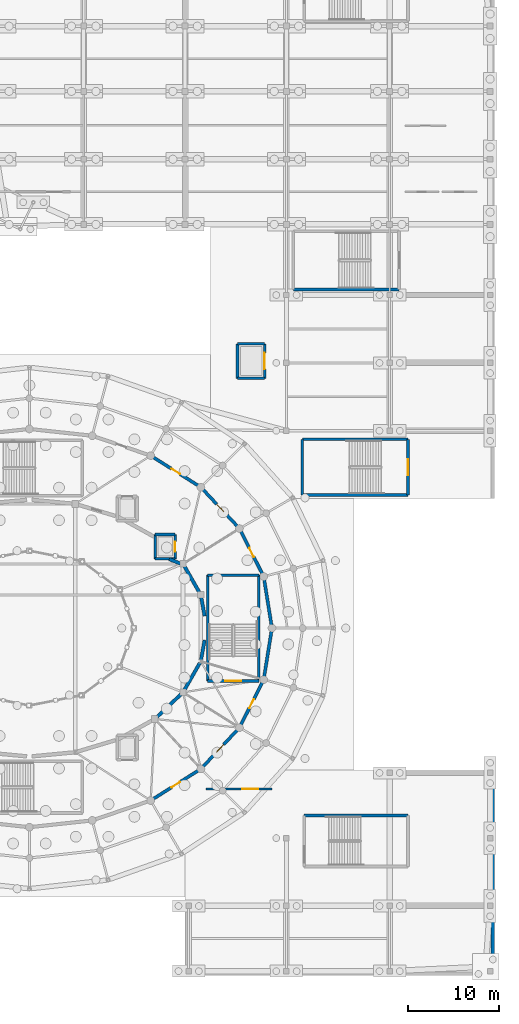
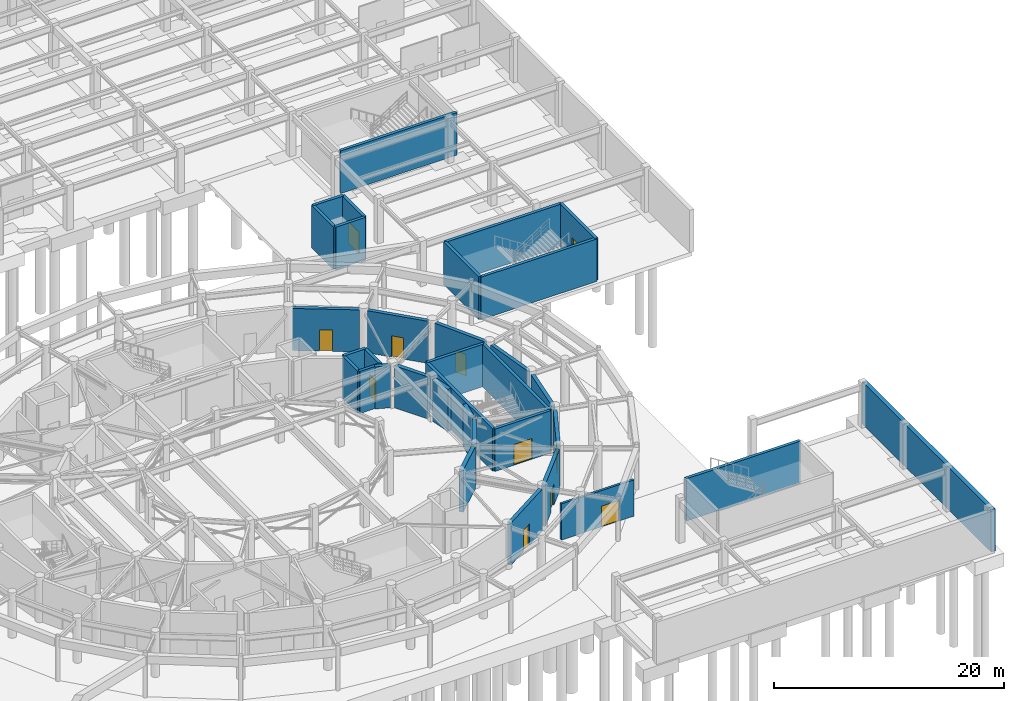
# One storey, part 42 of 68: 34 walls, 11 doors, 11 openings.
"""IFC4 building model written with IfcOpenShell, lengths in metres."""

from ifc_helpers import new_model, si_unit, direction, frame, frame_2d, origin, place, context, subcontext, project, spatial, rectangle, extrude, material, layer, layer_set, type_object, element, fill, save


model = new_model("IFC4")

# Units and contexts
model_context = context("Model", 3, precision=1e-05, world=origin(), true_north=direction((0.0, 1.0)))
body_context = subcontext(model_context, "Body", "Model", "MODEL_VIEW")
ifc_project = project(units=[si_unit("LENGTHUNIT", "METRE"), si_unit("AREAUNIT", "SQUARE_METRE"), si_unit("VOLUMEUNIT", "CUBIC_METRE"), si_unit("PLANEANGLEUNIT", "RADIAN"), si_unit("MASSUNIT", "GRAM", prefix="KILO")], contexts=[model_context])

# Site, building, storey
site_placement = place(None, origin())
site = spatial("IfcSite", under=ifc_project, at=site_placement, CompositionType="ELEMENT")
building_placement = place(site_placement, origin())
building = spatial("IfcBuilding", under=site, at=building_placement, Name="Cinderbank Siding Concert Hall", CompositionType="ELEMENT")
storey_placement = place(building_placement, frame((0.0, 0.0, -4.800048828125)))
storey = spatial("IfcBuildingStorey", under=building, at=storey_placement, Name="B1", CompositionType="ELEMENT", Elevation=-4.800048828125)

# Walls
ifc_material_1 = material(Name="Reinforced concrete AS 3600 N50 (50 MPa)", Category="concrete")
ifc_layer_1 = layer(ifc_material_1, 0.3798828125)
ifc_layer_set_1 = layer_set([ifc_layer_1], Name="Reinforced concrete AS 3600 N50 (50 MPa)")
wall_type_1 = type_object("IfcWallType", Name="WL-01 Structural Wall 380mm", PredefinedType="SOLIDWALL", material=ifc_layer_set_1)
wall_1_placement = place(storey_placement, frame((141.358642578125, 45.328125, 0.0), z_axis=(0.0, 0.0, 1.0), x_axis=(-0.17880262372, 0.983884963678, 0.0)))
element("IfcWall", 1, at=wall_1_placement, inside=storey, type_object=wall_type_1, Name="B1 Structural Wall SW-E1-B1-01", PredefinedType="SOLIDWALL", context=body_context, shape_type="SweptSolid", body=[
    extrude(rectangle(XDim=2.075439453125, YDim=0.3798828125, at=frame_2d((1.03759765625, 0.0))), origin(), (0.0, 0.0, 1.0), 4.47998046875),
])
wall_2_placement = place(storey_placement, frame((140.7783203125, 47.9443359375, 0.0), z_axis=(0.0, 0.0, 1.0), x_axis=(-0.496366522372, 0.868113054543, 0.0)))
element("IfcWall", 2, at=wall_2_placement, inside=storey, type_object=wall_type_1, Name="B1 Structural Wall SW-E1-B1-02", PredefinedType="SOLIDWALL", context=body_context, shape_type="SweptSolid", body=[
    extrude(rectangle(XDim=3.35009765625, YDim=0.3798828125, at=frame_2d((1.675048828125, 0.0))), origin(), (0.0, 0.0, 1.0), 4.47998046875),
])
wall_3_placement = place(storey_placement, frame((138.75, 51.10009765625, 0.0), z_axis=(0.0, 0.0, 1.0), x_axis=(-0.928476690885, 0.371390676354, 0.0)))
element("IfcWall", 3, at=wall_3_placement, inside=storey, type_object=wall_type_1, Name="B1 Structural Wall SW-E1-B1-03", PredefinedType="SOLIDWALL", context=body_context, shape_type="SweptSolid", body=[
    extrude(rectangle(XDim=1.400146484375, YDim=0.3798828125, at=frame_2d((0.7001953125, 0.0))), origin(), (0.0, 0.0, 1.0), 4.47998046875),
])
wall_4_placement = place(storey_placement, frame((136.084716796875, 34.171875, 0.0), z_axis=(0.0, 0.0, 1.0), x_axis=(0.727101248405, 0.68653024301, 0.0)))
element("IfcWall", 4, at=wall_4_placement, inside=storey, type_object=wall_type_1, Name="B1 Structural Wall SW-E1-B1-22", PredefinedType="SOLIDWALL", context=body_context, shape_type="SweptSolid", body=[
    extrude(rectangle(XDim=3.688720703125, YDim=0.3798828125, at=frame_2d((1.84423828125, 0.0))), origin(), (0.0, 0.0, 1.0), 4.47998046875),
])
wall_5_placement = place(storey_placement, frame((139.115478515625, 37.1474609375, 0.0), z_axis=(0.0, 0.0, 1.0), x_axis=(0.496379307123, 0.8681057444, 0.0)))
element("IfcWall", 5, at=wall_5_placement, inside=storey, type_object=wall_type_1, Name="B1 Structural Wall SW-E1-B1-23", PredefinedType="SOLIDWALL", context=body_context, shape_type="SweptSolid", body=[
    extrude(rectangle(XDim=3.5, YDim=0.3798828125, at=frame_2d((1.75, 0.0))), origin(), (0.0, 0.0, 1.0), 4.47998046875),
])
wall_6_placement = place(storey_placement, frame((140.960693359375, 40.482177734375, 0.0), z_axis=(0.0, 0.0, 1.0), x_axis=(0.178808210054, 0.98388394845, 0.0)))
element("IfcWall", 6, at=wall_6_placement, inside=storey, type_object=wall_type_1, Name="B1 Structural Wall SW-E1-B1-24", PredefinedType="SOLIDWALL", context=body_context, shape_type="SweptSolid", body=[
    extrude(rectangle(XDim=2.2255859375, YDim=0.3798828125, at=frame_2d((1.11279296875, 0.0))), origin(), (0.0, 0.0, 1.0), 4.47998046875),
])
ifc_layer_2 = layer(ifc_material_1, 0.35009765625)
ifc_layer_set_2 = layer_set([ifc_layer_2], Name="Reinforced concrete AS 3600 N50 (50 MPa)")
wall_type_2 = type_object("IfcWallType", Name="WL-02 Structural Wall 350mm", PredefinedType="SHEAR", material=ifc_layer_set_2)
wall_7_placement = place(storey_placement, frame((148.742919921875, 44.35546875, 0.0), z_axis=(0.0, 0.0, 1.0), x_axis=(-0.158339548841, 0.987384721004, 0.0)))
element("IfcWall", 7, at=wall_7_placement, inside=storey, type_object=wall_type_2, Name="B1 Structural Wall SW-E2-B1-01", PredefinedType="SHEAR", context=body_context, shape_type="SweptSolid", body=[
    extrude(rectangle(XDim=5.046630859375, YDim=0.35009765625, at=frame_2d((2.5234375, 0.0))), origin(), (0.0, 0.0, 1.0), 4.47998046875),
])

# Wall, opening, door
wall_8_placement = place(storey_placement, frame((147.724609375, 50.015380859375, 0.0), z_axis=(0.0, 0.0, 1.0), x_axis=(-0.450482420117, 0.892785298471, 0.0)))
wall_8 = element("IfcWall", 8, at=wall_8_placement, inside=storey, type_object=wall_type_2, Name="B1 Structural Wall SW-E2-B1-02", PredefinedType="SHEAR", context=body_context, shape_type="SweptSolid", body=[
    extrude(rectangle(XDim=5.223388671875, YDim=0.35009765625, at=frame_2d((2.61181640625, 0.0))), origin(), (0.0, 0.0, 1.0), 4.47998046875),
])
opening_1_placement = place(wall_8_placement, frame((2.051513671875, 0.0, 0.0)))
opening_1 = element("IfcOpeningElement", 9, at=opening_1_placement, cuts=wall_8, Name="Opening D-19", PredefinedType="OPENING", context=body_context, shape_type="SweptSolid", body=[
    extrude(rectangle(XDim=1.1201171875, YDim=2.260009765625, at=frame_2d((0.56005859375, 1.1298828125))), frame((0.0, 0.18701171875, 0.0), z_axis=(0.0, -1.0, 0.0), x_axis=(1.0, 0.0, 0.0)), (0.0, 0.0, 1.0), 0.3740234375),
])
ifc_material_2 = material(Name="Solid-core spotted gum acoustic timber", Category="wood")
door_type_1 = type_object("IfcDoorType", Name="D-19 Interior Door 1120x2260", OperationType="NOTDEFINED", PredefinedType="DOOR", material=ifc_material_2)
door_1_placement = place(opening_1_placement, origin())
door_1 = element("IfcDoor", 10, at=door_1_placement, inside=storey, type_object=door_type_1, Name="B1 Auditorium Sound-Lock Door B1-D105", OperationType="SINGLE_SWING_RIGHT", OverallHeight=2.260009765625, OverallWidth=1.1201171875, PredefinedType="DOOR", context=body_context, shape_type="SweptSolid", body=[
    extrude(rectangle(XDim=1.1201171875, YDim=2.260009765625, at=frame_2d((0.56005859375, 1.1298828125))), frame((0.0, 0.02490234375, 0.0), z_axis=(0.0, -1.0, 0.0), x_axis=(1.0, 0.0, 0.0)), (0.0, 0.0, 1.0), 0.050048828125),
])
fill(opening_1, door_1)

wall_9_placement = place(storey_placement, frame((144.963623046875, 55.262939453125, 0.0), z_axis=(0.0, 0.0, 1.0), x_axis=(-0.682874636689, 0.730535577893, 0.0)))
wall_9 = element("IfcWall", 11, at=wall_9_placement, inside=storey, type_object=wall_type_2, Name="B1 Structural Wall SW-E2-B1-03", PredefinedType="SHEAR", context=body_context, shape_type="SweptSolid", body=[
    extrude(rectangle(XDim=5.516845703125, YDim=0.35009765625, at=frame_2d((2.75830078125, 0.0))), origin(), (0.0, 0.0, 1.0), 4.47998046875),
])
opening_2_placement = place(wall_9_placement, frame((2.198486328125, 0.0, 0.0)))
opening_2 = element("IfcOpeningElement", 12, at=opening_2_placement, cuts=wall_9, Name="Opening D-19", PredefinedType="OPENING", context=body_context, shape_type="SweptSolid", body=[
    extrude(rectangle(XDim=1.1201171875, YDim=2.260009765625, at=frame_2d((0.56005859375, 1.1298828125))), frame((0.0, 0.18701171875, 0.0), z_axis=(0.0, -1.0, 0.0), x_axis=(1.0, 0.0, 0.0)), (0.0, 0.0, 1.0), 0.3740234375),
])
door_2_placement = place(opening_2_placement, origin())
door_2 = element("IfcDoor", 13, at=door_2_placement, inside=storey, type_object=door_type_1, Name="B1 Auditorium Sound-Lock Door B1-D106", OperationType="SINGLE_SWING_LEFT", OverallHeight=2.260009765625, OverallWidth=1.1201171875, PredefinedType="DOOR", context=body_context, shape_type="SweptSolid", body=[
    extrude(rectangle(XDim=1.1201171875, YDim=2.260009765625, at=frame_2d((0.56005859375, 1.1298828125))), frame((0.0, 0.02490234375, 0.0), z_axis=(0.0, -1.0, 0.0), x_axis=(1.0, 0.0, 0.0)), (0.0, 0.0, 1.0), 0.050048828125),
])
fill(opening_2, door_2)

wall_10_placement = place(storey_placement, frame((140.64599609375, 59.748291015625, 0.0), z_axis=(0.0, 0.0, 1.0), x_axis=(-0.846151846743, 0.5329418845, 0.0)))
wall_10 = element("IfcWall", 14, at=wall_10_placement, inside=storey, type_object=wall_type_2, Name="B1 Structural Wall SW-E2-B1-04", PredefinedType="SHEAR", context=body_context, shape_type="SweptSolid", body=[
    extrude(rectangle(XDim=5.83984375, YDim=0.35009765625, at=frame_2d((2.919921875, 0.0))), origin(), (0.0, 0.0, 1.0), 4.47998046875),
])
opening_3_placement = place(wall_10_placement, frame((2.35986328125, 0.0, 0.0)))
opening_3 = element("IfcOpeningElement", 15, at=opening_3_placement, cuts=wall_10, Name="Opening D-19", PredefinedType="OPENING", context=body_context, shape_type="SweptSolid", body=[
    extrude(rectangle(XDim=1.1201171875, YDim=2.260009765625, at=frame_2d((0.56005859375, 1.1298828125))), frame((0.0, 0.18701171875, 0.0), z_axis=(0.0, -1.0, 0.0), x_axis=(1.0, 0.0, 0.0)), (0.0, 0.0, 1.0), 0.3740234375),
])
door_3_placement = place(opening_3_placement, origin())
door_3 = element("IfcDoor", 16, at=door_3_placement, inside=storey, type_object=door_type_1, Name="B1 Auditorium Sound-Lock Door B1-D107", OperationType="SINGLE_SWING_RIGHT", OverallHeight=2.260009765625, OverallWidth=1.1201171875, PredefinedType="DOOR", context=body_context, shape_type="SweptSolid", body=[
    extrude(rectangle(XDim=1.1201171875, YDim=2.260009765625, at=frame_2d((0.56005859375, 1.1298828125))), frame((0.0, 0.02490234375, 0.0), z_axis=(0.0, -1.0, 0.0), x_axis=(1.0, 0.0, 0.0)), (0.0, 0.0, 1.0), 0.050048828125),
])
fill(opening_3, door_3)

wall_11_placement = place(storey_placement, frame((135.70458984375, 25.139404296875, 0.0), z_axis=(0.0, 0.0, 1.0), x_axis=(0.846151846743, 0.5329418845, 0.0)))
wall_11 = element("IfcWall", 17, at=wall_11_placement, inside=storey, type_object=wall_type_2, Name="B1 Structural Wall SW-E2-B1-21", PredefinedType="SHEAR", context=body_context, shape_type="SweptSolid", body=[
    extrude(rectangle(XDim=5.83984375, YDim=0.35009765625, at=frame_2d((2.919921875, 0.0))), origin(), (0.0, 0.0, 1.0), 4.47998046875),
])
opening_4_placement = place(wall_11_placement, frame((2.35986328125, 0.0, 0.0)))
opening_4 = element("IfcOpeningElement", 18, at=opening_4_placement, cuts=wall_11, Name="Opening D-19", PredefinedType="OPENING", context=body_context, shape_type="SweptSolid", body=[
    extrude(rectangle(XDim=1.1201171875, YDim=2.260009765625, at=frame_2d((0.56005859375, 1.1298828125))), frame((0.0, 0.18701171875, 0.0), z_axis=(0.0, -1.0, 0.0), x_axis=(1.0, 0.0, 0.0)), (0.0, 0.0, 1.0), 0.3740234375),
])
door_4_placement = place(opening_4_placement, origin())
door_4 = element("IfcDoor", 19, at=door_4_placement, inside=storey, type_object=door_type_1, Name="B1 Auditorium Sound-Lock Door B1-D116", OperationType="SINGLE_SWING_LEFT", OverallHeight=2.260009765625, OverallWidth=1.1201171875, PredefinedType="DOOR", context=body_context, shape_type="SweptSolid", body=[
    extrude(rectangle(XDim=1.1201171875, YDim=2.260009765625, at=frame_2d((0.56005859375, 1.1298828125))), frame((0.0, 0.02490234375, 0.0), z_axis=(0.0, -1.0, 0.0), x_axis=(1.0, 0.0, 0.0)), (0.0, 0.0, 1.0), 0.050048828125),
])
fill(opening_4, door_4)

wall_12_placement = place(storey_placement, frame((141.1962890625, 28.706787109375, 0.0), z_axis=(0.0, 0.0, 1.0), x_axis=(0.682874636689, 0.730535577893, 0.0)))
wall_12 = element("IfcWall", 20, at=wall_12_placement, inside=storey, type_object=wall_type_2, Name="B1 Structural Wall SW-E2-B1-22", PredefinedType="SHEAR", context=body_context, shape_type="SweptSolid", body=[
    extrude(rectangle(XDim=5.516845703125, YDim=0.35009765625, at=frame_2d((2.75830078125, 0.0))), origin(), (0.0, 0.0, 1.0), 4.47998046875),
])
opening_5_placement = place(wall_12_placement, frame((2.198486328125, 0.0, 0.0)))
opening_5 = element("IfcOpeningElement", 21, at=opening_5_placement, cuts=wall_12, Name="Opening D-19", PredefinedType="OPENING", context=body_context, shape_type="SweptSolid", body=[
    extrude(rectangle(XDim=1.1201171875, YDim=2.260009765625, at=frame_2d((0.56005859375, 1.1298828125))), frame((0.0, 0.18701171875, 0.0), z_axis=(0.0, -1.0, 0.0), x_axis=(1.0, 0.0, 0.0)), (0.0, 0.0, 1.0), 0.3740234375),
])
door_5_placement = place(opening_5_placement, origin())
door_5 = element("IfcDoor", 22, at=door_5_placement, inside=storey, type_object=door_type_1, Name="B1 Auditorium Sound-Lock Door B1-D117", OperationType="SINGLE_SWING_RIGHT", OverallHeight=2.260009765625, OverallWidth=1.1201171875, PredefinedType="DOOR", context=body_context, shape_type="SweptSolid", body=[
    extrude(rectangle(XDim=1.1201171875, YDim=2.260009765625, at=frame_2d((0.56005859375, 1.1298828125))), frame((0.0, 0.02490234375, 0.0), z_axis=(0.0, -1.0, 0.0), x_axis=(1.0, 0.0, 0.0)), (0.0, 0.0, 1.0), 0.050048828125),
])
fill(opening_5, door_5)

wall_13_placement = place(storey_placement, frame((145.37158203125, 33.3212890625, 0.0), z_axis=(0.0, 0.0, 1.0), x_axis=(0.450482420117, 0.892785298471, 0.0)))
wall_13 = element("IfcWall", 23, at=wall_13_placement, inside=storey, type_object=wall_type_2, Name="B1 Structural Wall SW-E2-B1-23", PredefinedType="SHEAR", context=body_context, shape_type="SweptSolid", body=[
    extrude(rectangle(XDim=5.223388671875, YDim=0.35009765625, at=frame_2d((2.61181640625, 0.0))), origin(), (0.0, 0.0, 1.0), 4.47998046875),
])
opening_6_placement = place(wall_13_placement, frame((2.051513671875, 0.0, 0.0)))
opening_6 = element("IfcOpeningElement", 24, at=opening_6_placement, cuts=wall_13, Name="Opening D-19", PredefinedType="OPENING", context=body_context, shape_type="SweptSolid", body=[
    extrude(rectangle(XDim=1.1201171875, YDim=2.260009765625, at=frame_2d((0.56005859375, 1.1298828125))), frame((0.0, 0.18701171875, 0.0), z_axis=(0.0, -1.0, 0.0), x_axis=(1.0, 0.0, 0.0)), (0.0, 0.0, 1.0), 0.3740234375),
])
door_6_placement = place(opening_6_placement, origin())
door_6 = element("IfcDoor", 25, at=door_6_placement, inside=storey, type_object=door_type_1, Name="B1 Auditorium Sound-Lock Door B1-D118", OperationType="SINGLE_SWING_LEFT", OverallHeight=2.260009765625, OverallWidth=1.1201171875, PredefinedType="DOOR", context=body_context, shape_type="SweptSolid", body=[
    extrude(rectangle(XDim=1.1201171875, YDim=2.260009765625, at=frame_2d((0.56005859375, 1.1298828125))), frame((0.0, 0.02490234375, 0.0), z_axis=(0.0, -1.0, 0.0), x_axis=(1.0, 0.0, 0.0)), (0.0, 0.0, 1.0), 0.050048828125),
])
fill(opening_6, door_6)

# Wall
wall_14_placement = place(storey_placement, frame((147.94384765625, 38.66162109375, 0.0), z_axis=(0.0, 0.0, 1.0), x_axis=(0.158339548841, 0.987384721004, 0.0)))
element("IfcWall", 26, at=wall_14_placement, inside=storey, type_object=wall_type_2, Name="B1 Structural Wall SW-E2-B1-24", PredefinedType="SHEAR", context=body_context, shape_type="SweptSolid", body=[
    extrude(rectangle(XDim=5.046630859375, YDim=0.35009765625, at=frame_2d((2.5234375, 0.0))), origin(), (0.0, 0.0, 1.0), 4.47998046875),
])

# Wall, opening, door
ifc_layer_3 = layer(ifc_material_1, 0.300048828125)
ifc_layer_set_3 = layer_set([ifc_layer_3], Name="Reinforced concrete AS 3600 N50 (50 MPa)")
wall_type_3 = type_object("IfcWallType", Name="WL-03 Structural Wall 300mm", PredefinedType="SHEAR", material=ifc_layer_set_3)
wall_15_placement = place(storey_placement, frame((147.340087890625, 38.159912109375, 0.0), z_axis=(0.0, 0.0, 1.0), x_axis=(-1.0, 0.0, 0.0)))
wall_15 = element("IfcWall", 27, at=wall_15_placement, inside=storey, type_object=wall_type_3, Name="B1 ST-03 Core Wall ENTRY", PredefinedType="SHEAR", context=body_context, shape_type="SweptSolid", body=[
    extrude(rectangle(XDim=5.64013671875, YDim=0.300048828125, at=frame_2d((2.820068359375, 0.0))), origin(), (0.0, 0.0, 1.0), 4.5),
])
opening_7_placement = place(wall_15_placement, frame((1.919921875, 0.0, 0.0)))
opening_7 = element("IfcOpeningElement", 28, at=opening_7_placement, cuts=wall_15, Name="Opening D-05", PredefinedType="OPENING", context=body_context, shape_type="SweptSolid", body=[
    extrude(rectangle(XDim=1.800048828125, YDim=2.199951171875, at=frame_2d((0.89990234375, 1.10009765625))), frame((0.0, 0.162109375, 0.0), z_axis=(0.0, -1.0, 0.0), x_axis=(1.0, 0.0, 0.0)), (0.0, 0.0, 1.0), 0.323974609375),
])
ifc_material_3 = material(Name="Galvanised sheet steel acoustic fire door assembly", Category="steel")
door_type_2 = type_object("IfcDoorType", Name="D-05 Interior Door 1800x2200", OperationType="DOUBLE_DOOR_SINGLE_SWING", PredefinedType="DOOR", material=ifc_material_3)
door_7_placement = place(opening_7_placement, origin())
door_7 = element("IfcDoor", 29, at=door_7_placement, inside=storey, type_object=door_type_2, Name="B1 ST-03 Fire Stair Door B1-D015", OperationType="DOUBLE_DOOR_SINGLE_SWING", OverallHeight=2.199951171875, OverallWidth=1.800048828125, PredefinedType="DOOR", context=body_context, shape_type="SweptSolid", body=[
    extrude(rectangle(XDim=1.800048828125, YDim=2.199951171875, at=frame_2d((0.89990234375, 1.10009765625))), frame((0.0, 0.02490234375, 0.0), z_axis=(0.0, -1.0, 0.0), x_axis=(1.0, 0.0, 0.0)), (0.0, 0.0, 1.0), 0.050048828125),
])
fill(opening_7, door_7)

# Walls
wall_16_placement = place(storey_placement, frame((141.699951171875, 49.840087890625, 0.0), z_axis=(0.0, 0.0, 1.0), x_axis=(1.0, 0.0, 0.0)))
element("IfcWall", 30, at=wall_16_placement, inside=storey, type_object=wall_type_3, Name="B1 ST-03 Core Wall FAR", PredefinedType="SHEAR", context=body_context, shape_type="SweptSolid", body=[
    extrude(rectangle(XDim=5.64013671875, YDim=0.300048828125, at=frame_2d((2.820068359375, 0.0))), origin(), (0.0, 0.0, 1.0), 4.5),
])
wall_17_placement = place(storey_placement, frame((147.340087890625, 49.840087890625, 0.0), z_axis=(0.0, 0.0, 1.0), x_axis=(0.0, -1.0, 0.0)))
element("IfcWall", 31, at=wall_17_placement, inside=storey, type_object=wall_type_3, Name="B1 ST-03 Core Wall SIDE1", PredefinedType="SHEAR", context=body_context, shape_type="SweptSolid", body=[
    extrude(rectangle(XDim=11.68017578125, YDim=0.300048828125, at=frame_2d((5.840087890625, 0.0))), origin(), (0.0, 0.0, 1.0), 4.5),
])
wall_18_placement = place(storey_placement, frame((141.699951171875, 38.159912109375, 0.0), z_axis=(0.0, 0.0, 1.0), x_axis=(0.0, 1.0, 0.0)))
element("IfcWall", 32, at=wall_18_placement, inside=storey, type_object=wall_type_3, Name="B1 ST-03 Core Wall SIDE2", PredefinedType="SHEAR", context=body_context, shape_type="SweptSolid", body=[
    extrude(rectangle(XDim=11.68017578125, YDim=0.300048828125, at=frame_2d((5.840087890625, 0.0))), origin(), (0.0, 0.0, 1.0), 4.47998046875),
])
wall_19_placement = place(storey_placement, frame((152.360107421875, 23.300048828125, 0.0), z_axis=(0.0, 0.0, 1.0), x_axis=(1.0, 0.0, 0.0)))
element("IfcWall", 33, at=wall_19_placement, inside=storey, type_object=wall_type_3, Name="B1 ST-10 Core Wall SIDE2", PredefinedType="SHEAR", context=body_context, shape_type="SweptSolid", body=[
    extrude(rectangle(XDim=11.47998046875, YDim=0.300048828125, at=frame_2d((5.739990234375, 0.0))), origin(), (0.0, 0.0, 1.0), 4.5),
])
wall_20_placement = place(storey_placement, frame((162.840087890625, 81.409912109375, 0.0), z_axis=(0.0, 0.0, 1.0), x_axis=(-1.0, 0.0, 0.0)))
element("IfcWall", 34, at=wall_20_placement, inside=storey, type_object=wall_type_3, Name="B1 ST-11 Core Wall SIDE2", PredefinedType="SHEAR", context=body_context, shape_type="SweptSolid", body=[
    extrude(rectangle(XDim=11.68017578125, YDim=0.300048828125, at=frame_2d((5.840087890625, 0.0))), origin(), (0.0, 0.0, 1.0), 4.52001953125),
])

# Wall, opening, door
wall_21_placement = place(storey_placement, frame((163.840087890625, 64.85009765625, 0.0), z_axis=(0.0, 0.0, 1.0), x_axis=(0.0, -1.0, 0.0)))
wall_21 = element("IfcWall", 35, at=wall_21_placement, inside=storey, type_object=wall_type_3, Name="B1 ST-12 Core Wall ENTRY", PredefinedType="SHEAR", context=body_context, shape_type="SweptSolid", body=[
    extrude(rectangle(XDim=6.14013671875, YDim=0.300048828125, at=frame_2d((3.070068359375, 0.0))), origin(), (0.0, 0.0, 1.0), 4.52001953125),
])
opening_8_placement = place(wall_21_placement, frame((2.169921875, 0.0, 0.0)))
opening_8 = element("IfcOpeningElement", 36, at=opening_8_placement, cuts=wall_21, Name="Opening D-05", PredefinedType="OPENING", context=body_context, shape_type="SweptSolid", body=[
    extrude(rectangle(XDim=1.800048828125, YDim=2.199951171875, at=frame_2d((0.89990234375, 1.10009765625))), frame((0.0, 0.162109375, 0.0), z_axis=(0.0, -1.0, 0.0), x_axis=(1.0, 0.0, 0.0)), (0.0, 0.0, 1.0), 0.323974609375),
])
door_8_placement = place(opening_8_placement, origin())
door_8 = element("IfcDoor", 37, at=door_8_placement, inside=storey, type_object=door_type_2, Name="B1 ST-12 Fire Stair Door B1-D058", OperationType="DOUBLE_DOOR_SINGLE_SWING", OverallHeight=2.199951171875, OverallWidth=1.800048828125, PredefinedType="DOOR", context=body_context, shape_type="SweptSolid", body=[
    extrude(rectangle(XDim=1.800048828125, YDim=2.199951171875, at=frame_2d((0.89990234375, 1.10009765625))), frame((0.0, 0.02490234375, 0.0), z_axis=(0.0, -1.0, 0.0), x_axis=(1.0, 0.0, 0.0)), (0.0, 0.0, 1.0), 0.050048828125),
])
fill(opening_8, door_8)

# Walls
wall_22_placement = place(storey_placement, frame((152.159912109375, 58.7099609375, 0.0), z_axis=(0.0, 0.0, 1.0), x_axis=(0.0, 1.0, 0.0)))
element("IfcWall", 38, at=wall_22_placement, inside=storey, type_object=wall_type_3, Name="B1 ST-12 Core Wall FAR", PredefinedType="SHEAR", context=body_context, shape_type="SweptSolid", body=[
    extrude(rectangle(XDim=6.14013671875, YDim=0.300048828125, at=frame_2d((3.070068359375, 0.0))), origin(), (0.0, 0.0, 1.0), 4.52001953125),
])
for number, where, z_axis, x_axis, name in (
    (39, (152.159912109375, 64.85009765625, 0.0), (0.0, 0.0, 1.0), (1.0, 0.0, 0.0), "B1 ST-12 Core Wall SIDE1"),
    (40, (163.840087890625, 58.7099609375, 0.0), (0.0, 0.0, 1.0), (-1.0, 0.0, 0.0), "B1 ST-12 Core Wall SIDE2"),
):
    element("IfcWall", number, at=place(storey_placement, frame(where, z_axis=z_axis, x_axis=x_axis)), inside=storey, type_object=wall_type_3, Name=name, PredefinedType="SHEAR", context=body_context, shape_type="SweptSolid", body=[
        extrude(rectangle(XDim=11.68017578125, YDim=0.300048828125, at=frame_2d((5.840087890625, 0.0))), origin(), (0.0, 0.0, 1.0), 4.52001953125),
    ])
wall_23_placement = place(storey_placement, frame((138.10009765625, 51.64990234375, 0.0), z_axis=(0.0, 0.0, 1.0), x_axis=(-1.0, 0.0, 0.0)))
element("IfcWall", 41, at=wall_23_placement, inside=storey, type_object=wall_type_3, Name="B1 LF-03 Shaft Wall -Y", PredefinedType="SHEAR", context=body_context, shape_type="SweptSolid", body=[
    extrude(rectangle(XDim=2.2001953125, YDim=0.300048828125, at=frame_2d((1.10009765625, 0.0))), origin(), (0.0, 0.0, 1.0), 4.47998046875),
])

# Wall, opening, door
wall_24_placement = place(storey_placement, frame((138.10009765625, 54.35009765625, 0.0), z_axis=(0.0, 0.0, 1.0), x_axis=(0.0, -1.0, 0.0)))
wall_24 = element("IfcWall", 42, at=wall_24_placement, inside=storey, type_object=wall_type_3, Name="B1 LF-03 Shaft Wall +X", PredefinedType="SHEAR", context=body_context, shape_type="SweptSolid", body=[
    extrude(rectangle(XDim=2.7001953125, YDim=0.300048828125, at=frame_2d((1.35009765625, 0.0))), origin(), (0.0, 0.0, 1.0), 4.47998046875),
])
opening_9_placement = place(wall_24_placement, frame((0.800048828125, 0.0, 0.0)))
opening_9 = element("IfcOpeningElement", 43, at=opening_9_placement, cuts=wall_24, Name="Opening LD-01", PredefinedType="OPENING", context=body_context, shape_type="SweptSolid", body=[
    extrude(rectangle(XDim=1.10009765625, YDim=2.14990234375, at=frame_2d((0.550048828125, 1.074951171875))), frame((0.0, 0.162109375, 0.0), z_axis=(0.0, -1.0, 0.0), x_axis=(1.0, 0.0, 0.0)), (0.0, 0.0, 1.0), 0.323974609375),
])
door_type_3 = type_object("IfcDoorType", Name="LD-01 Interior Door 1100x2150", OperationType="DOUBLE_DOOR_SLIDING", PredefinedType="DOOR", material=ifc_material_3)
door_9_placement = place(opening_9_placement, origin())
door_9 = element("IfcDoor", 44, at=door_9_placement, inside=storey, type_object=door_type_3, Name="B1 LF-03 Sliding Landing Door", OperationType="DOUBLE_DOOR_SLIDING", OverallHeight=2.14990234375, OverallWidth=1.10009765625, PredefinedType="DOOR", context=body_context, shape_type="SweptSolid", body=[
    extrude(rectangle(XDim=1.10009765625, YDim=2.14990234375, at=frame_2d((0.550048828125, 1.074951171875))), frame((0.0, 0.02490234375, 0.0), z_axis=(0.0, -1.0, 0.0), x_axis=(1.0, 0.0, 0.0)), (0.0, 0.0, 1.0), 0.050048828125),
])
fill(opening_9, door_9)

# Walls
wall_25_placement = place(storey_placement, frame((135.89990234375, 54.35009765625, 0.0), z_axis=(0.0, 0.0, 1.0), x_axis=(1.0, 0.0, 0.0)))
element("IfcWall", 45, at=wall_25_placement, inside=storey, type_object=wall_type_3, Name="B1 LF-03 Shaft Wall +Y", PredefinedType="SHEAR", context=body_context, shape_type="SweptSolid", body=[
    extrude(rectangle(XDim=2.2001953125, YDim=0.300048828125, at=frame_2d((1.10009765625, 0.0))), origin(), (0.0, 0.0, 1.0), 4.5),
])
wall_26_placement = place(storey_placement, frame((135.89990234375, 51.64990234375, 0.0), z_axis=(0.0, 0.0, 1.0), x_axis=(0.0, 1.0, 0.0)))
element("IfcWall", 46, at=wall_26_placement, inside=storey, type_object=wall_type_3, Name="B1 LF-03 Shaft Wall -X", PredefinedType="SHEAR", context=body_context, shape_type="SweptSolid", body=[
    extrude(rectangle(XDim=2.7001953125, YDim=0.300048828125, at=frame_2d((1.35009765625, 0.0))), origin(), (0.0, 0.0, 1.0), 4.47998046875),
])
wall_27_placement = place(storey_placement, frame((148.0, 71.60009765625, 0.0), z_axis=(0.0, 0.0, 1.0), x_axis=(-1.0, 0.0, 0.0)))
element("IfcWall", 47, at=wall_27_placement, inside=storey, type_object=wall_type_3, Name="B1 LF-08 Shaft Wall -Y", PredefinedType="SHEAR", context=body_context, shape_type="SweptSolid", body=[
    extrude(rectangle(XDim=3.0, YDim=0.300048828125, at=frame_2d((1.5, 0.0))), origin(), (0.0, 0.0, 1.0), 4.52001953125),
])

# Wall, opening, door
wall_28_placement = place(storey_placement, frame((148.0, 75.39990234375, 0.0), z_axis=(0.0, 0.0, 1.0), x_axis=(0.0, -1.0, 0.0)))
wall_28 = element("IfcWall", 48, at=wall_28_placement, inside=storey, type_object=wall_type_3, Name="B1 LF-08 Shaft Wall +X", PredefinedType="SHEAR", context=body_context, shape_type="SweptSolid", body=[
    extrude(rectangle(XDim=3.7998046875, YDim=0.300048828125, at=frame_2d((1.89990234375, 0.0))), origin(), (0.0, 0.0, 1.0), 4.52001953125),
])
opening_10_placement = place(wall_28_placement, frame((1.0, 0.0, 0.0)))
opening_10 = element("IfcOpeningElement", 49, at=opening_10_placement, cuts=wall_28, Name="Opening LD-03", PredefinedType="OPENING", context=body_context, shape_type="SweptSolid", body=[
    extrude(rectangle(XDim=1.800048828125, YDim=2.300048828125, at=frame_2d((0.89990234375, 1.14990234375))), frame((0.0, 0.162109375, 0.0), z_axis=(0.0, -1.0, 0.0), x_axis=(1.0, 0.0, 0.0)), (0.0, 0.0, 1.0), 0.323974609375),
])
door_type_4 = type_object("IfcDoorType", Name="LD-03 Interior Door 1800x2300", OperationType="DOUBLE_DOOR_SLIDING", PredefinedType="DOOR", material=ifc_material_3)
door_10_placement = place(opening_10_placement, origin())
door_10 = element("IfcDoor", 50, at=door_10_placement, inside=storey, type_object=door_type_4, Name="B1 LF-08 Sliding Landing Door", OperationType="DOUBLE_DOOR_SLIDING", OverallHeight=2.300048828125, OverallWidth=1.800048828125, PredefinedType="DOOR", context=body_context, shape_type="SweptSolid", body=[
    extrude(rectangle(XDim=1.800048828125, YDim=2.300048828125, at=frame_2d((0.89990234375, 1.14990234375))), frame((0.0, 0.02490234375, 0.0), z_axis=(0.0, -1.0, 0.0), x_axis=(1.0, 0.0, 0.0)), (0.0, 0.0, 1.0), 0.050048828125),
])
fill(opening_10, door_10)

# Walls
wall_29_placement = place(storey_placement, frame((145.0, 75.39990234375, 0.0), z_axis=(0.0, 0.0, 1.0), x_axis=(1.0, 0.0, 0.0)))
element("IfcWall", 51, at=wall_29_placement, inside=storey, type_object=wall_type_3, Name="B1 LF-08 Shaft Wall +Y", PredefinedType="SHEAR", context=body_context, shape_type="SweptSolid", body=[
    extrude(rectangle(XDim=3.0, YDim=0.300048828125, at=frame_2d((1.5, 0.0))), origin(), (0.0, 0.0, 1.0), 4.52001953125),
])
wall_30_placement = place(storey_placement, frame((145.0, 71.60009765625, 0.0), z_axis=(0.0, 0.0, 1.0), x_axis=(0.0, 1.0, 0.0)))
element("IfcWall", 52, at=wall_30_placement, inside=storey, type_object=wall_type_3, Name="B1 LF-08 Shaft Wall -X", PredefinedType="SHEAR", context=body_context, shape_type="SweptSolid", body=[
    extrude(rectangle(XDim=3.7998046875, YDim=0.300048828125, at=frame_2d((1.89990234375, 0.0))), origin(), (0.0, 0.0, 1.0), 4.52001953125),
])
ifc_material_4 = material(Name="Reinforced concrete AS 3600 N40 (40 MPa)", Category="concrete")
ifc_layer_4 = layer(ifc_material_4, 0.419921875)
ifc_layer_set_4 = layer_set([ifc_layer_4], Name="Reinforced concrete AS 3600 N40 (40 MPa)")
wall_type_4 = type_object("IfcWallType", Name="WL-04 Structural Wall 420mm", PredefinedType="SOLIDWALL", material=ifc_layer_set_4)
wall_31_placement = place(storey_placement, frame((173.199951171875, 5.800048828125, 0.0), z_axis=(0.0, 0.0, 1.0), x_axis=(0.0, 1.0, 0.0)))
element("IfcWall", 53, at=wall_31_placement, inside=storey, type_object=wall_type_4, Name="B1 Structural Wall SW-B1-RET-04", PredefinedType="SOLIDWALL", context=body_context, shape_type="SweptSolid", body=[
    extrude(rectangle(XDim=22.5, YDim=0.419921875, at=frame_2d((11.25, 0.0))), origin(), (0.0, 0.0, 1.0), 4.5),
])

# Wall, opening, door
ifc_layer_5 = layer(ifc_material_1, 0.219970703125)
ifc_layer_set_5 = layer_set([ifc_layer_5], Name="Reinforced concrete AS 3600 N50 (50 MPa)")
wall_type_5 = type_object("IfcWallType", Name="WL-06 Interior Wall 220mm", PredefinedType="SOLIDWALL", material=ifc_layer_set_5)
wall_32_placement = place(storey_placement, frame((141.5, 26.199951171875, 0.0), z_axis=(0.0, 0.0, 1.0), x_axis=(1.0, 0.0, 0.0)))
wall_32 = element("IfcWall", 54, at=wall_32_placement, inside=storey, type_object=wall_type_5, Name="B1 Partition Substation Entry", PredefinedType="SOLIDWALL", context=body_context, shape_type="SweptSolid", body=[
    extrude(rectangle(XDim=7.300048828125, YDim=0.219970703125, at=frame_2d((3.64990234375, 0.0))), origin(), (0.0, 0.0, 1.0), 3.860107421875),
])
opening_11_placement = place(wall_32_placement, frame((4.0, 0.0, 0.0)))
opening_11 = element("IfcOpeningElement", 55, at=opening_11_placement, cuts=wall_32, Name="Opening D-05", PredefinedType="OPENING", context=body_context, shape_type="SweptSolid", body=[
    extrude(rectangle(XDim=1.800048828125, YDim=2.199951171875, at=frame_2d((0.89990234375, 1.10009765625))), frame((0.0, 0.1220703125, 0.0), z_axis=(0.0, -1.0, 0.0), x_axis=(1.0, 0.0, 0.0)), (0.0, 0.0, 1.0), 0.243896484375),
])
door_11_placement = place(opening_11_placement, origin())
door_11 = element("IfcDoor", 56, at=door_11_placement, inside=storey, type_object=door_type_2, Name="B1 Substation Entry Door B1-D238", OperationType="DOUBLE_DOOR_SINGLE_SWING", OverallHeight=2.199951171875, OverallWidth=1.800048828125, PredefinedType="DOOR", context=body_context, shape_type="SweptSolid", body=[
    extrude(rectangle(XDim=1.800048828125, YDim=2.199951171875, at=frame_2d((0.89990234375, 1.10009765625))), frame((0.0, 0.02490234375, 0.0), z_axis=(0.0, -1.0, 0.0), x_axis=(1.0, 0.0, 0.0)), (0.0, 0.0, 1.0), 0.050048828125),
])
fill(opening_11, door_11)

save(model, "model.ifc")
